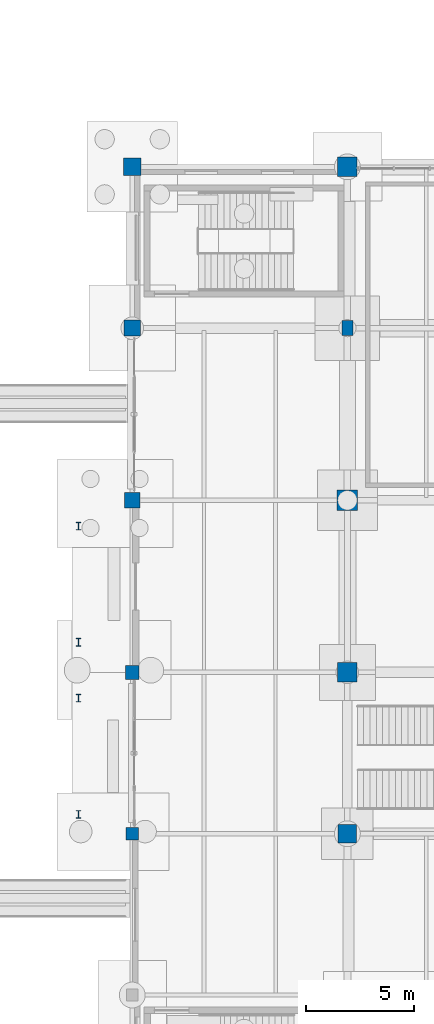
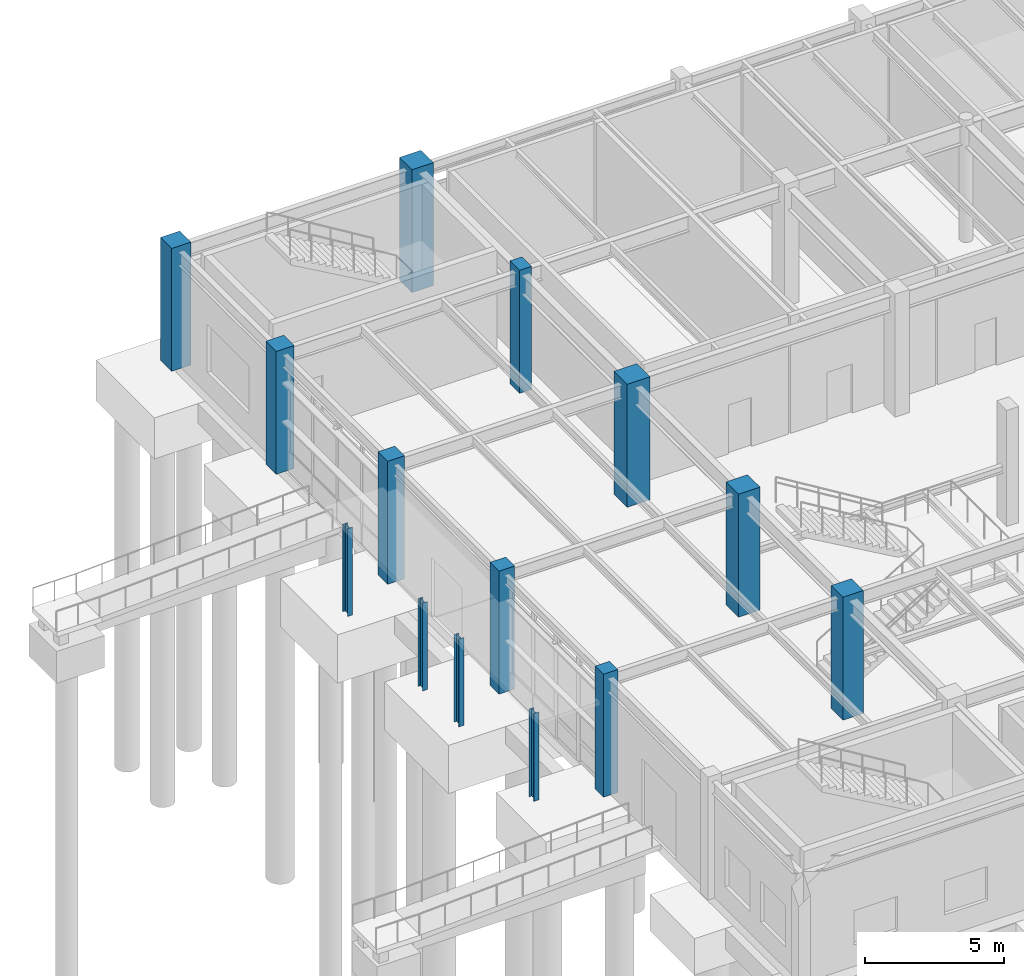
# One storey, part 9 of 203: 14 columns.
"""IFC4 building model written with IfcOpenShell, lengths in metres."""

from ifc_helpers import new_model, si_unit, direction, frame, origin, origin_2d, place, context, subcontext, project, spatial, rectangle, i_section, extrude, material, material_profile, profile_set, type_object, element, save


model = new_model("IFC4")

# Units and contexts
model_context = context("Model", 3, precision=1e-05, world=origin(), true_north=direction((0.0, 1.0)))
body_context = subcontext(model_context, "Body", "Model", "MODEL_VIEW")
ifc_project = project(units=[si_unit("LENGTHUNIT", "METRE"), si_unit("AREAUNIT", "SQUARE_METRE"), si_unit("VOLUMEUNIT", "CUBIC_METRE"), si_unit("PLANEANGLEUNIT", "RADIAN"), si_unit("MASSUNIT", "GRAM", prefix="KILO"), si_unit("THERMODYNAMICTEMPERATUREUNIT", "KELVIN"), si_unit("POWERUNIT", "WATT")], contexts=[model_context])

# Site, building, storey
site_placement = place(None, origin())
site = spatial("IfcSite", under=ifc_project, at=site_placement, CompositionType="ELEMENT")
building_placement = place(site_placement, origin())
building = spatial("IfcBuilding", under=site, at=building_placement, Name="Tepalcoro Natatorium and Aquatics Centre", CompositionType="ELEMENT")
storey_placement = place(building_placement, origin())
storey = spatial("IfcBuildingStorey", under=building, at=storey_placement, Name="L00", CompositionType="ELEMENT", Elevation=0.0)

# Columns
ifc_material_1 = material(Name="Steel ASTM A992 Grade 50 (Fy 345 MPa)", Category="steel")
ifc_material_profile_1 = material_profile(ifc_material_1, i_section(OverallWidth=0.205078125, OverallDepth=0.35302734375, WebThickness=0.009033203125, FlangeThickness=0.01708984375, FilletRadius=0.013916015625, at=origin_2d()), Name="W14X53")
ifc_profile_set_1 = profile_set([ifc_material_profile_1], Name="Steel ASTM A992 Grade 50 (Fy 345 MPa)")
column_type_1 = type_object("IfcColumnType", Name="COL_CHS324x16", PredefinedType="COLUMN", material=ifc_profile_set_1)
for number, where, z_axis, x_axis, name in (
    (1, (-2.5, 21.39990234375, 0.0), (0.0, 0.0, 1.0), (1.0, 0.0, 0.0), "Canopy Support Post CN_V3_W1-1"),
    (2, (-2.5, 26.800048828125, 0.0), (0.0, 0.0, 1.0), (1.0, 0.0, 0.0), "Canopy Support Post CN_V3_W1-2"),
    (3, (-2.5, 29.39990234375, 0.0), (0.0, 0.0, 1.0), (1.0, 0.0, 0.0), "Canopy Support Post CN_V3_W2-1"),
    (4, (-2.5, 34.800048828125, 0.0), (0.0, 0.0, 1.0), (1.0, 0.0, 0.0), "Canopy Support Post CN_V3_W2-2"),
):
    element("IfcColumn", number, at=place(storey_placement, frame(where, z_axis=z_axis, x_axis=x_axis)), inside=storey, type_object=column_type_1, Name=name, PredefinedType="COLUMN", context=body_context, shape_type="SweptSolid", body=[
        extrude(i_section(OverallWidth=0.205078125, OverallDepth=0.35302734375, WebThickness=0.009033203125, FlangeThickness=0.01708984375, FilletRadius=0.013916015625, at=origin_2d()), origin(), (0.0, 0.0, 1.0), 3.85009765625),
    ])
ifc_material_2 = material(Name="Concrete C40/50 (fc 40 MPa)", Category="concrete")
ifc_material_profile_2 = material_profile(ifc_material_2, rectangle(XDim=0.5, YDim=0.699951171875, at=origin_2d()), Name="RC500x700")
ifc_profile_set_2 = profile_set([ifc_material_profile_2], Name="Concrete C40/50 (fc 40 MPa)")
column_type_2 = type_object("IfcColumnType", Name="COL_RC_500x700", PredefinedType="COLUMN", material=ifc_profile_set_2)
column_1_placement = place(storey_placement, frame((10.0, 44.0, 0.0), z_axis=(0.0, 0.0, 1.0), x_axis=(1.0, 0.0, 0.0)))
element("IfcColumn", 5, at=column_1_placement, inside=storey, type_object=column_type_2, Name="V3 L00 Grid Column (10.0, 44.0)", PredefinedType="COLUMN", context=body_context, shape_type="SweptSolid", body=[
    extrude(rectangle(XDim=0.5, YDim=0.699951171875, at=origin_2d()), origin(), (0.0, 0.0, 1.0), 5.39990234375),
])
ifc_material_profile_3 = material_profile(ifc_material_2, rectangle(XDim=0.60009765625, YDim=0.60009765625, at=origin_2d()), Name="RC600x600")
ifc_profile_set_3 = profile_set([ifc_material_profile_3], Name="Concrete C40/50 (fc 40 MPa)")
column_type_3 = type_object("IfcColumnType", Name="COL_RC_600x600", PredefinedType="COLUMN", material=ifc_profile_set_3)
column_2_placement = place(storey_placement, frame((0.0, 20.5, 0.0), z_axis=(0.0, 0.0, 1.0), x_axis=(1.0, 0.0, 0.0)))
element("IfcColumn", 6, at=column_2_placement, inside=storey, type_object=column_type_3, Name="V3 L00 Grid Column (0.0, 20.5)", PredefinedType="COLUMN", context=body_context, shape_type="SweptSolid", body=[
    extrude(rectangle(XDim=0.60009765625, YDim=0.60009765625, at=origin_2d()), origin(), (0.0, 0.0, 1.0), 5.39990234375),
])
ifc_material_profile_4 = material_profile(ifc_material_2, rectangle(XDim=0.64990234375, YDim=0.64990234375, at=origin_2d()), Name="RC650x650")
ifc_profile_set_4 = profile_set([ifc_material_profile_4], Name="Concrete C40/50 (fc 40 MPa)")
column_type_4 = type_object("IfcColumnType", Name="COL_RC_650x650", PredefinedType="COLUMN", material=ifc_profile_set_4)
column_3_placement = place(storey_placement, frame((0.0, 28.0, 0.0), z_axis=(0.0, 0.0, 1.0), x_axis=(1.0, 0.0, 0.0)))
element("IfcColumn", 7, at=column_3_placement, inside=storey, type_object=column_type_4, Name="V3 L00 Grid Column (0.0, 28.0)", PredefinedType="COLUMN", context=body_context, shape_type="SweptSolid", body=[
    extrude(rectangle(XDim=0.64990234375, YDim=0.64990234375, at=origin_2d()), origin(), (0.0, 0.0, 1.0), 5.39990234375),
])
ifc_material_profile_5 = material_profile(ifc_material_2, rectangle(XDim=0.699951171875, YDim=0.699951171875, at=origin_2d()), Name="RC700x700")
ifc_profile_set_5 = profile_set([ifc_material_profile_5], Name="Concrete C40/50 (fc 40 MPa)")
column_type_5 = type_object("IfcColumnType", Name="COL_RC_700x700", PredefinedType="COLUMN", material=ifc_profile_set_5)
column_4_placement = place(storey_placement, frame((0.0, 36.0, 0.0), z_axis=(0.0, 0.0, 1.0), x_axis=(1.0, 0.0, 0.0)))
element("IfcColumn", 8, at=column_4_placement, inside=storey, type_object=column_type_5, Name="V3 L00 Grid Column (0.0, 36.0)", PredefinedType="COLUMN", context=body_context, shape_type="SweptSolid", body=[
    extrude(rectangle(XDim=0.699951171875, YDim=0.699951171875, at=origin_2d()), origin(), (0.0, 0.0, 1.0), 5.39990234375),
])
ifc_material_profile_6 = material_profile(ifc_material_2, rectangle(XDim=0.75, YDim=0.75, at=origin_2d()), Name="RC750x750")
ifc_profile_set_6 = profile_set([ifc_material_profile_6], Name="Concrete C40/50 (fc 40 MPa)")
column_type_6 = type_object("IfcColumnType", Name="COL_RC_750x750", PredefinedType="COLUMN", material=ifc_profile_set_6)
column_5_placement = place(storey_placement, frame((0.0, 44.0, 0.0), z_axis=(0.0, 0.0, 1.0), x_axis=(1.0, 0.0, 0.0)))
element("IfcColumn", 9, at=column_5_placement, inside=storey, type_object=column_type_6, Name="V3 L00 Grid Column (0.0, 44.0)", PredefinedType="COLUMN", context=body_context, shape_type="SweptSolid", body=[
    extrude(rectangle(XDim=0.75, YDim=0.75, at=origin_2d()), origin(), (0.0, 0.0, 1.0), 5.39990234375),
])
ifc_material_profile_7 = material_profile(ifc_material_2, rectangle(XDim=0.800048828125, YDim=0.800048828125, at=origin_2d()), Name="RC800x800")
ifc_profile_set_7 = profile_set([ifc_material_profile_7], Name="Concrete C40/50 (fc 40 MPa)")
column_type_7 = type_object("IfcColumnType", Name="COL_RC_800x800", PredefinedType="COLUMN", material=ifc_profile_set_7)
column_6_placement = place(storey_placement, frame((0.0, 51.5, 0.0), z_axis=(0.0, 0.0, 1.0), x_axis=(1.0, 0.0, 0.0)))
element("IfcColumn", 10, at=column_6_placement, inside=storey, type_object=column_type_7, Name="V3 L00 Grid Column (0.0, 51.5)", PredefinedType="COLUMN", context=body_context, shape_type="SweptSolid", body=[
    extrude(rectangle(XDim=0.800048828125, YDim=0.800048828125, at=origin_2d()), origin(), (0.0, 0.0, 1.0), 5.39990234375),
])
ifc_material_profile_8 = material_profile(ifc_material_2, rectangle(XDim=0.85009765625, YDim=0.85009765625, at=origin_2d()), Name="RC850x850")
ifc_profile_set_8 = profile_set([ifc_material_profile_8], Name="Concrete C40/50 (fc 40 MPa)")
column_type_8 = type_object("IfcColumnType", Name="COL_RC_850x850", PredefinedType="COLUMN", material=ifc_profile_set_8)
column_7_placement = place(storey_placement, frame((10.0, 20.5, 0.0), z_axis=(0.0, 0.0, 1.0), x_axis=(1.0, 0.0, 0.0)))
element("IfcColumn", 11, at=column_7_placement, inside=storey, type_object=column_type_8, Name="V3 L00 Grid Column (10.0, 20.5)", PredefinedType="COLUMN", context=body_context, shape_type="SweptSolid", body=[
    extrude(rectangle(XDim=0.85009765625, YDim=0.85009765625, at=origin_2d()), origin(), (0.0, 0.0, 1.0), 5.39990234375),
])
ifc_material_profile_9 = material_profile(ifc_material_2, rectangle(XDim=0.89990234375, YDim=0.89990234375, at=origin_2d()), Name="RC900x900")
ifc_profile_set_9 = profile_set([ifc_material_profile_9], Name="Concrete C40/50 (fc 40 MPa)")
column_type_9 = type_object("IfcColumnType", Name="COL_RC_900x900", PredefinedType="COLUMN", material=ifc_profile_set_9)
for number, where, z_axis, x_axis, name in (
    (12, (10.0, 28.0, 0.0), (0.0, 0.0, 1.0), (1.0, 0.0, 0.0), "V3 L00 Grid Column (10.0, 28.0)"),
    (13, (10.0, 51.5, 0.0), (0.0, 0.0, 1.0), (1.0, 0.0, 0.0), "V3 L00 Grid Column (10.0, 51.5)"),
):
    element("IfcColumn", number, at=place(storey_placement, frame(where, z_axis=z_axis, x_axis=x_axis)), inside=storey, type_object=column_type_9, Name=name, PredefinedType="COLUMN", context=body_context, shape_type="SweptSolid", body=[
        extrude(rectangle(XDim=0.89990234375, YDim=0.89990234375, at=origin_2d()), origin(), (0.0, 0.0, 1.0), 5.39990234375),
    ])
ifc_material_profile_10 = material_profile(ifc_material_2, rectangle(XDim=0.949951171875, YDim=0.949951171875, at=origin_2d()), Name="RC950x950")
ifc_profile_set_10 = profile_set([ifc_material_profile_10], Name="Concrete C40/50 (fc 40 MPa)")
column_type_10 = type_object("IfcColumnType", Name="COL_RC_950x950", PredefinedType="COLUMN", material=ifc_profile_set_10)
column_8_placement = place(storey_placement, frame((10.0, 36.0, 0.0), z_axis=(0.0, 0.0, 1.0), x_axis=(1.0, 0.0, 0.0)))
element("IfcColumn", 14, at=column_8_placement, inside=storey, type_object=column_type_10, Name="V3 L00 Grid Column (10.0, 36.0)", PredefinedType="COLUMN", context=body_context, shape_type="SweptSolid", body=[
    extrude(rectangle(XDim=0.949951171875, YDim=0.949951171875, at=origin_2d()), origin(), (0.0, 0.0, 1.0), 5.39990234375),
])

save(model, "model.ifc")
